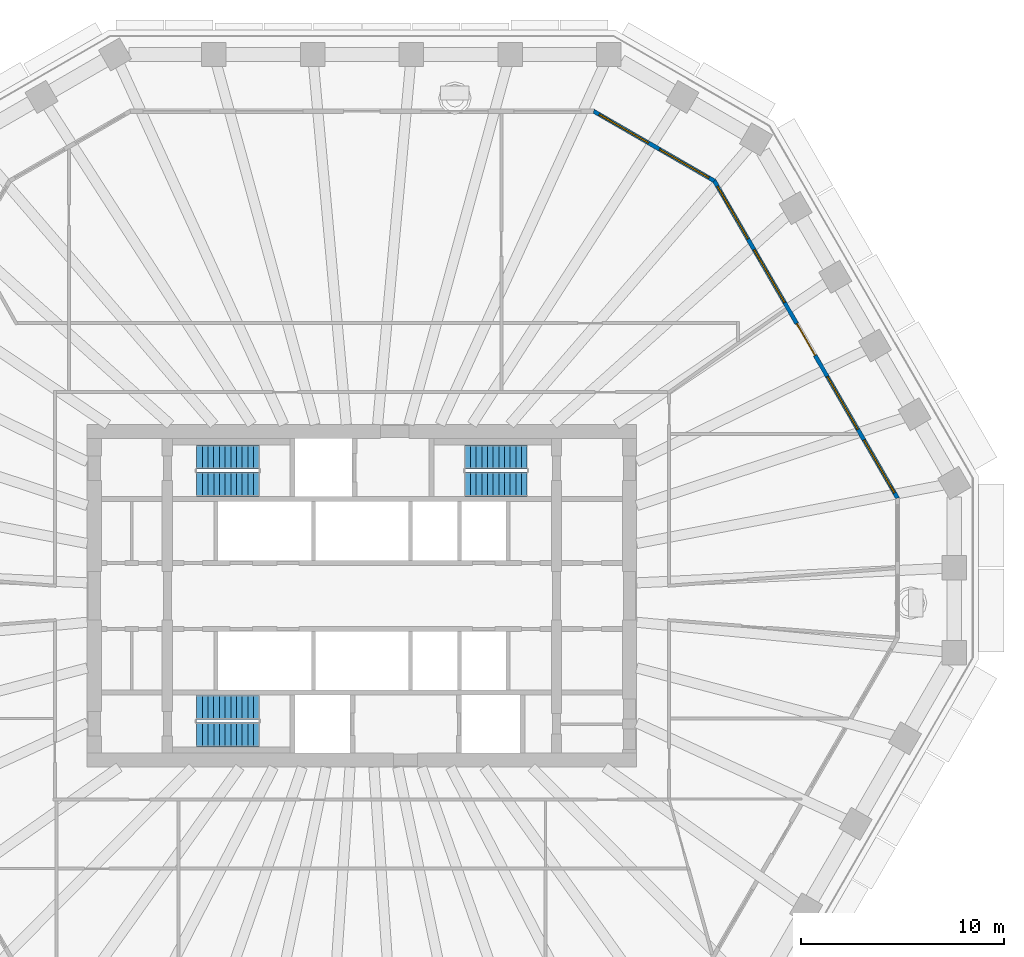
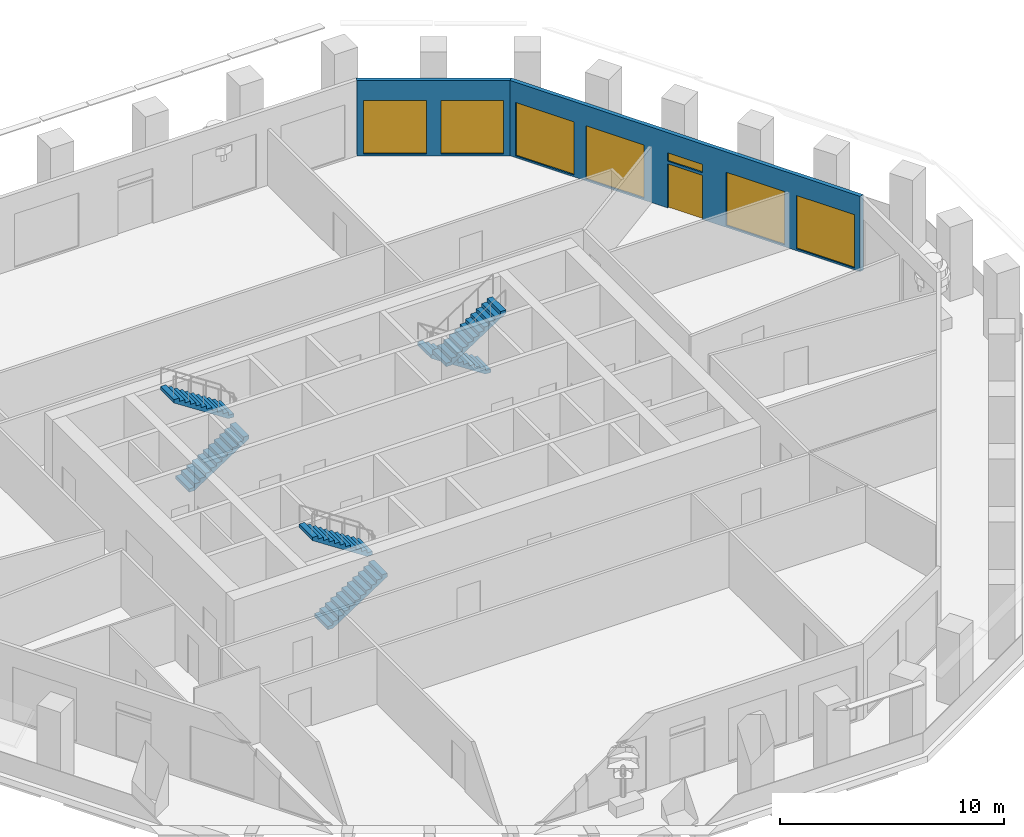
# One storey, part 8 of 12: 7 windows, 6 stair flights, 2 walls, 1 door, 8 openings, 3 elements without a shape of their own.
"""IFC4 building model written with IfcOpenShell, lengths in metres."""

from ifc_helpers import new_model, si_unit, direction, frame, frame_2d, origin, place, context, subcontext, project, spatial, polyline, rectangle, outline, extrude, material, layer, layer_set, type_object, element, fill, aggregate, save


model = new_model("IFC4")

# Units and contexts
model_context = context("Model", 3, precision=1e-05, world=origin(), true_north=direction((0.0, 1.0)))
body_context = subcontext(model_context, "Body", "Model", "MODEL_VIEW")
ifc_project = project(units=[si_unit("LENGTHUNIT", "METRE"), si_unit("AREAUNIT", "SQUARE_METRE"), si_unit("VOLUMEUNIT", "CUBIC_METRE"), si_unit("PLANEANGLEUNIT", "RADIAN"), si_unit("MASSUNIT", "GRAM", prefix="KILO")], contexts=[model_context])

# Site, building, storey
site_placement = place(None, origin())
site = spatial("IfcSite", under=ifc_project, at=site_placement, CompositionType="ELEMENT")
building_placement = place(site_placement, origin())
building = spatial("IfcBuilding", under=site, at=building_placement, Name="Frailejon Research Tower", CompositionType="ELEMENT")
storey_placement = place(building_placement, frame((0.0, 0.0, 193.60009765625)))
storey = spatial("IfcBuildingStorey", under=building, at=storey_placement, Name="L42", CompositionType="ELEMENT", Elevation=193.60009765625)

# Wall, openings, door, windows
ifc_material_1 = material(Name="Concrete C40/50 precast window wall panel", Category="concrete")
ifc_layer_1 = layer(ifc_material_1, 0.199951171875)
ifc_layer_set_1 = layer_set([ifc_layer_1], Name="Window wall 200")
wall_type = type_object("IfcWallType", Name="Window wall 200", PredefinedType="SOLIDWALL", material=ifc_layer_set_1)
wall_1_placement = place(storey_placement, frame((26.4111328125, 4.820068359375, 0.0), z_axis=(0.0, 0.0, 1.0), x_axis=(-0.500000137386, 0.866025324465, 0.0)))
wall_1 = element("IfcWall", 1, at=wall_1_placement, inside=storey, type_object=wall_type, Name="Exterior wall L42", PredefinedType="SOLIDWALL", context=body_context, shape_type="SweptSolid", body=[
    extrude(outline(polyline([(-0.02685546875, -0.10009765625), (0.9794921875, -0.10009765625), (1.986083984375, -0.10009765625), (2.992431640625, -0.10009765625), (3.9990234375, -0.10009765625), (5.00537109375, -0.10009765625), (6.011962890625, -0.10009765625), (7.018310546875, -0.10009765625), (8.02490234375, -0.10009765625), (9.03125, -0.10009765625), (10.03759765625, -0.10009765625), (11.044189453125, -0.10009765625), (12.050537109375, -0.10009765625), (13.05712890625, -0.10009765625), (14.0634765625, -0.10009765625), (15.070068359375, -0.10009765625), (16.076416015625, -0.10009765625), (17.0830078125, -0.10009765625), (18.08935546875, -0.10009765625), (18.03564453125, 0.10009765625), (17.03515625, 0.10009765625), (16.03466796875, 0.10009765625), (15.0341796875, 0.10009765625), (14.03369140625, 0.10009765625), (13.033203125, 0.10009765625), (12.03271484375, 0.10009765625), (11.0322265625, 0.10009765625), (10.03173828125, 0.10009765625), (9.03125, 0.10009765625), (8.03076171875, 0.10009765625), (7.0302734375, 0.10009765625), (6.02978515625, 0.10009765625), (5.029296875, 0.10009765625), (4.02880859375, 0.10009765625), (3.0283203125, 0.10009765625), (2.02783203125, 0.10009765625), (1.02734375, 0.10009765625), (0.02685546875, 0.10009765625), (-0.02685546875, -0.10009765625)])), origin(), (0.0, 0.0, 1.0), 4.099853515625),
])
opening_1_placement = place(wall_1_placement, frame((0.306396484375, 0.0, 0.10009765625)))
opening_1 = element("IfcOpeningElement", 2, at=opening_1_placement, cuts=wall_1, Name="Opening W4", PredefinedType="OPENING", context=body_context, shape_type="SweptSolid", body=[
    extrude(rectangle(XDim=3.0, YDim=2.89990234375, at=frame_2d((1.5, 1.449951171875))), frame((0.0, 0.10986328125, 0.0), z_axis=(0.0, -1.0, 0.0), x_axis=(1.0, 0.0, 0.0)), (0.0, 0.0, 1.0), 0.219970703125),
])
opening_2_placement = place(wall_1_placement, frame((3.918701171875, 0.0, 0.10009765625)))
opening_2 = element("IfcOpeningElement", 3, at=opening_2_placement, cuts=wall_1, Name="Opening W4", PredefinedType="OPENING", context=body_context, shape_type="SweptSolid", body=[
    extrude(rectangle(XDim=3.0, YDim=2.89990234375, at=frame_2d((1.5, 1.449951171875))), frame((0.0, 0.10986328125, 0.0), z_axis=(0.0, -1.0, 0.0), x_axis=(1.0, 0.0, 0.0)), (0.0, 0.0, 1.0), 0.219970703125),
])
opening_3_placement = place(wall_1_placement, frame((8.13134765625, 0.0, 0.0)))
opening_3 = element("IfcOpeningElement", 4, at=opening_3_placement, cuts=wall_1, Name="Opening LG42-1", PredefinedType="OPENING", context=body_context, shape_type="SweptSolid", body=[
    extrude(rectangle(XDim=1.800048828125, YDim=2.39990234375, at=frame_2d((0.89990234375, 1.199951171875))), frame((0.0, 0.10986328125, 0.0), z_axis=(0.0, -1.0, 0.0), x_axis=(1.0, 0.0, 0.0)), (0.0, 0.0, 1.0), 0.219970703125),
])
opening_4_placement = place(wall_1_placement, frame((8.13134765625, 0.0, 2.550048828125)))
opening_4 = element("IfcOpeningElement", 5, at=opening_4_placement, cuts=wall_1, Name="Opening W1", PredefinedType="OPENING", context=body_context, shape_type="SweptSolid", body=[
    extrude(rectangle(XDim=1.800048828125, YDim=0.449951171875, at=frame_2d((0.89990234375, 0.22509765625))), frame((0.0, 0.10986328125, 0.0), z_axis=(0.0, -1.0, 0.0), x_axis=(1.0, 0.0, 0.0)), (0.0, 0.0, 1.0), 0.219970703125),
])
opening_5_placement = place(wall_1_placement, frame((11.143798828125, 0.0, 0.10009765625)))
opening_5 = element("IfcOpeningElement", 6, at=opening_5_placement, cuts=wall_1, Name="Opening W4", PredefinedType="OPENING", context=body_context, shape_type="SweptSolid", body=[
    extrude(rectangle(XDim=3.0, YDim=2.89990234375, at=frame_2d((1.5, 1.449951171875))), frame((0.0, 0.10986328125, 0.0), z_axis=(0.0, -1.0, 0.0), x_axis=(1.0, 0.0, 0.0)), (0.0, 0.0, 1.0), 0.219970703125),
])
opening_6_placement = place(wall_1_placement, frame((14.75634765625, 0.0, 0.10009765625)))
opening_6 = element("IfcOpeningElement", 7, at=opening_6_placement, cuts=wall_1, Name="Opening W4", PredefinedType="OPENING", context=body_context, shape_type="SweptSolid", body=[
    extrude(rectangle(XDim=3.0, YDim=2.89990234375, at=frame_2d((1.5, 1.449951171875))), frame((0.0, 0.10986328125, 0.0), z_axis=(0.0, -1.0, 0.0), x_axis=(1.0, 0.0, 0.0)), (0.0, 0.0, 1.0), 0.219970703125),
])
ifc_material_2 = material(Name="Aluminium framed glazed door leaf", Category="aluminium")
door_type = type_object("IfcDoorType", Name="Loggia door 1800x2400", OperationType="DOUBLE_DOOR_SINGLE_SWING", PredefinedType="DOOR", material=ifc_material_2)
door_placement = place(opening_3_placement, origin())
door = element("IfcDoor", 8, at=door_placement, inside=storey, type_object=door_type, Name="Door LG42-1", OperationType="DOUBLE_DOOR_SINGLE_SWING", OverallHeight=2.39990234375, OverallWidth=1.800048828125, PredefinedType="DOOR", context=body_context, shape_type="SweptSolid", body=[
    extrude(rectangle(XDim=1.800048828125, YDim=2.39990234375, at=frame_2d((0.89990234375, 1.199951171875))), frame((0.0, 0.02490234375, 0.0), z_axis=(0.0, -1.0, 0.0), x_axis=(1.0, 0.0, 0.0)), (0.0, 0.0, 1.0), 0.050048828125),
])
fill(opening_3, door)
ifc_material_3 = material(Name="Aluminium framed double glazing", Category="aluminium")
window_type_1 = type_object("IfcWindowType", Name="Window 1800x450", PartitioningType="SINGLE_PANEL", PredefinedType="WINDOW", material=ifc_material_3)
window_1_placement = place(opening_4_placement, origin())
window_1 = element("IfcWindow", 9, at=window_1_placement, inside=storey, type_object=window_type_1, Name="Window L42", OverallHeight=0.449951171875, OverallWidth=1.800048828125, PartitioningType="SINGLE_PANEL", PredefinedType="WINDOW", context=body_context, shape_type="SweptSolid", body=[
    extrude(rectangle(XDim=1.800048828125, YDim=0.449951171875, at=frame_2d((0.89990234375, 0.22509765625))), frame((0.0, 0.030029296875, 0.0), z_axis=(0.0, -1.0, 0.0), x_axis=(1.0, 0.0, 0.0)), (0.0, 0.0, 1.0), 0.06005859375),
])
fill(opening_4, window_1)
ifc_material_4 = material(Name="Aluminium framed double glazing", Category="aluminium")
window_type_2 = type_object("IfcWindowType", Name="Window 3000x2900", PartitioningType="SINGLE_PANEL", PredefinedType="WINDOW", material=ifc_material_4)
window_2_placement = place(opening_1_placement, origin())
window_2 = element("IfcWindow", 10, at=window_2_placement, inside=storey, type_object=window_type_2, Name="Window L42", OverallHeight=2.89990234375, OverallWidth=3.0, PartitioningType="SINGLE_PANEL", PredefinedType="WINDOW", context=body_context, shape_type="SweptSolid", body=[
    extrude(rectangle(XDim=3.0, YDim=2.89990234375, at=frame_2d((1.5, 1.449951171875))), frame((0.0, 0.030029296875, 0.0), z_axis=(0.0, -1.0, 0.0), x_axis=(1.0, 0.0, 0.0)), (0.0, 0.0, 1.0), 0.06005859375),
])
fill(opening_1, window_2)
window_3_placement = place(opening_2_placement, origin())
window_3 = element("IfcWindow", 11, at=window_3_placement, inside=storey, type_object=window_type_2, Name="Window L42", OverallHeight=2.89990234375, OverallWidth=3.0, PartitioningType="SINGLE_PANEL", PredefinedType="WINDOW", context=body_context, shape_type="SweptSolid", body=[
    extrude(rectangle(XDim=3.0, YDim=2.89990234375, at=frame_2d((1.5, 1.449951171875))), frame((0.0, 0.030029296875, 0.0), z_axis=(0.0, -1.0, 0.0), x_axis=(1.0, 0.0, 0.0)), (0.0, 0.0, 1.0), 0.06005859375),
])
fill(opening_2, window_3)
window_4_placement = place(opening_5_placement, origin())
window_4 = element("IfcWindow", 12, at=window_4_placement, inside=storey, type_object=window_type_2, Name="Window L42", OverallHeight=2.89990234375, OverallWidth=3.0, PartitioningType="SINGLE_PANEL", PredefinedType="WINDOW", context=body_context, shape_type="SweptSolid", body=[
    extrude(rectangle(XDim=3.0, YDim=2.89990234375, at=frame_2d((1.5, 1.449951171875))), frame((0.0, 0.030029296875, 0.0), z_axis=(0.0, -1.0, 0.0), x_axis=(1.0, 0.0, 0.0)), (0.0, 0.0, 1.0), 0.06005859375),
])
fill(opening_5, window_4)
window_5_placement = place(opening_6_placement, origin())
window_5 = element("IfcWindow", 13, at=window_5_placement, inside=storey, type_object=window_type_2, Name="Window L42", OverallHeight=2.89990234375, OverallWidth=3.0, PartitioningType="SINGLE_PANEL", PredefinedType="WINDOW", context=body_context, shape_type="SweptSolid", body=[
    extrude(rectangle(XDim=3.0, YDim=2.89990234375, at=frame_2d((1.5, 1.449951171875))), frame((0.0, 0.030029296875, 0.0), z_axis=(0.0, -1.0, 0.0), x_axis=(1.0, 0.0, 0.0)), (0.0, 0.0, 1.0), 0.06005859375),
])
fill(opening_6, window_5)

# Wall, openings, windows
wall_2_placement = place(storey_placement, frame((17.3798828125, 20.462646484375, 0.0), z_axis=(0.0, 0.0, 1.0), x_axis=(-0.866029458321, 0.49999297727, 0.0)))
wall_2 = element("IfcWall", 14, at=wall_2_placement, inside=storey, type_object=wall_type, Name="Exterior wall L42", PredefinedType="SOLIDWALL", context=body_context, shape_type="SweptSolid", body=[
    extrude(outline(polyline([(-0.02685546875, -0.10009765625), (1.1279296875, -0.10009765625), (2.282470703125, -0.10009765625), (3.437255859375, -0.10009765625), (4.592041015625, -0.10009765625), (5.74658203125, -0.10009765625), (6.9013671875, -0.10009765625), (6.84765625, 0.10009765625), (5.7109375, 0.10009765625), (4.573974609375, 0.10009765625), (3.437255859375, 0.10009765625), (2.300537109375, 0.10009765625), (1.16357421875, 0.10009765625), (0.02685546875, 0.10009765625), (-0.02685546875, -0.10009765625)])), origin(), (0.0, 0.0, 1.0), 4.099853515625),
])
opening_7_placement = place(wall_2_placement, frame((0.318603515625, 0.0, 0.10009765625)))
opening_7 = element("IfcOpeningElement", 15, at=opening_7_placement, cuts=wall_2, Name="Opening W3", PredefinedType="OPENING", context=body_context, shape_type="SweptSolid", body=[
    extrude(rectangle(XDim=2.800048828125, YDim=2.89990234375, at=frame_2d((1.39990234375, 1.449951171875))), frame((0.0, 0.10986328125, 0.0), z_axis=(0.0, -1.0, 0.0), x_axis=(1.0, 0.0, 0.0)), (0.0, 0.0, 1.0), 0.219970703125),
])
opening_8_placement = place(wall_2_placement, frame((3.756103515625, 0.0, 0.10009765625)))
opening_8 = element("IfcOpeningElement", 16, at=opening_8_placement, cuts=wall_2, Name="Opening W3", PredefinedType="OPENING", context=body_context, shape_type="SweptSolid", body=[
    extrude(rectangle(XDim=2.800048828125, YDim=2.89990234375, at=frame_2d((1.39990234375, 1.449951171875))), frame((0.0, 0.10986328125, 0.0), z_axis=(0.0, -1.0, 0.0), x_axis=(1.0, 0.0, 0.0)), (0.0, 0.0, 1.0), 0.219970703125),
])
ifc_material_5 = material(Name="Aluminium framed double glazing", Category="aluminium")
window_type_3 = type_object("IfcWindowType", Name="Window 2800x2900", PartitioningType="SINGLE_PANEL", PredefinedType="WINDOW", material=ifc_material_5)
window_6_placement = place(opening_7_placement, origin())
window_6 = element("IfcWindow", 17, at=window_6_placement, inside=storey, type_object=window_type_3, Name="Window L42", OverallHeight=2.89990234375, OverallWidth=2.800048828125, PartitioningType="SINGLE_PANEL", PredefinedType="WINDOW", context=body_context, shape_type="SweptSolid", body=[
    extrude(rectangle(XDim=2.800048828125, YDim=2.89990234375, at=frame_2d((1.39990234375, 1.449951171875))), frame((0.0, 0.030029296875, 0.0), z_axis=(0.0, -1.0, 0.0), x_axis=(1.0, 0.0, 0.0)), (0.0, 0.0, 1.0), 0.06005859375),
])
fill(opening_7, window_6)
window_7_placement = place(opening_8_placement, origin())
window_7 = element("IfcWindow", 18, at=window_7_placement, inside=storey, type_object=window_type_3, Name="Window L42", OverallHeight=2.89990234375, OverallWidth=2.800048828125, PartitioningType="SINGLE_PANEL", PredefinedType="WINDOW", context=body_context, shape_type="SweptSolid", body=[
    extrude(rectangle(XDim=2.800048828125, YDim=2.89990234375, at=frame_2d((1.39990234375, 1.449951171875))), frame((0.0, 0.030029296875, 0.0), z_axis=(0.0, -1.0, 0.0), x_axis=(1.0, 0.0, 0.0)), (0.0, 0.0, 1.0), 0.06005859375),
])
fill(opening_8, window_7)

# Stair, stair flights
ifc_material_6 = material(Name="Concrete C50/60", Category="concrete")
stair_type = type_object("IfcStairType", Name="Exit stair 24 risers", PredefinedType="HALF_TURN_STAIR", material=ifc_material_6)
stair_1_placement = place(storey_placement, origin())
stair_1 = element("IfcStair", 19, at=stair_1_placement, inside=storey, type_object=stair_type, Name="L42 Exit stair ST1", PredefinedType="HALF_TURN_STAIR")
ifc_material_7 = material(Name="Concrete C50/60", Category="concrete")
ifc_layer_2 = layer(ifc_material_7, 0.14990234375)
ifc_layer_set_2 = layer_set([ifc_layer_2], Name="Stair flight 12 risers")
stair_flight_type = type_object("IfcStairFlightType", Name="Stair flight 12 risers", PredefinedType="STRAIGHT", material=ifc_layer_set_2)
stair_flight_1_placement = place(storey_placement, frame((-8.14990234375, 5.5, 0.0), z_axis=(0.0, 0.0, 1.0), x_axis=(1.0, 0.0, 0.0)))
stair_flight_1 = element("IfcStairFlight", 20, at=stair_flight_1_placement, type_object=stair_flight_type, Name="ST1 flight 1", NumberOfRisers=12, NumberOfTreads=11, PredefinedType="STRAIGHT", RiserHeight=0.183333333, TreadLength=0.28, context=body_context, shape_type="SweptSolid", body=[
    extrude(outline(polyline([(0.0, 0.0), (0.0, 0.183349609375), (0.280029296875, 0.183349609375), (0.280029296875, 0.36669921875), (0.56005859375, 0.36669921875), (0.56005859375, 0.550048828125), (0.840087890625, 0.550048828125), (0.840087890625, 0.7333984375), (1.1201171875, 0.7333984375), (1.1201171875, 0.916748046875), (1.39990234375, 0.916748046875), (1.39990234375, 1.10009765625), (1.679931640625, 1.10009765625), (1.679931640625, 1.283447265625), (1.9599609375, 1.283447265625), (1.9599609375, 1.466552734375), (2.239990234375, 1.466552734375), (2.239990234375, 1.64990234375), (2.52001953125, 1.64990234375), (2.52001953125, 1.833251953125), (2.800048828125, 1.833251953125), (2.800048828125, 2.0166015625), (3.080078125, 2.0166015625), (3.080078125, 2.199951171875), (3.080078125, 1.83740234375), (0.273681640625, 0.0), (0.0, 0.0)])), frame((0.0, 0.60009765625, 0.0), z_axis=(0.0, -1.0, 0.0), x_axis=(1.0, 0.0, 0.0)), (0.0, 0.0, 1.0), 1.199951171875),
])
stair_flight_2_placement = place(storey_placement, frame((-5.070068359375, 6.85009765625, 2.199951171875), z_axis=(0.0, 0.0, 1.0), x_axis=(-1.0, 0.0, 0.0)))
stair_flight_2 = element("IfcStairFlight", 21, at=stair_flight_2_placement, type_object=stair_flight_type, Name="ST1 flight 2", NumberOfRisers=12, NumberOfTreads=11, PredefinedType="STRAIGHT", RiserHeight=0.183333333, TreadLength=0.28, context=body_context, shape_type="SweptSolid", body=[
    extrude(outline(polyline([(0.0, 0.0), (0.0, 0.183349609375), (0.280029296875, 0.183349609375), (0.280029296875, 0.36669921875), (0.56005859375, 0.36669921875), (0.56005859375, 0.550048828125), (0.840087890625, 0.550048828125), (0.840087890625, 0.7333984375), (1.1201171875, 0.7333984375), (1.1201171875, 0.916748046875), (1.39990234375, 0.916748046875), (1.39990234375, 1.10009765625), (1.679931640625, 1.10009765625), (1.679931640625, 1.283447265625), (1.9599609375, 1.283447265625), (1.9599609375, 1.466552734375), (2.239990234375, 1.466552734375), (2.239990234375, 1.64990234375), (2.52001953125, 1.64990234375), (2.52001953125, 1.833251953125), (2.800048828125, 1.833251953125), (2.800048828125, 2.0166015625), (3.080078125, 2.0166015625), (3.080078125, 2.199951171875), (3.080078125, 1.83740234375), (0.273681640625, 0.0), (0.0, 0.0)])), frame((0.0, 0.60009765625, 0.0), z_axis=(0.0, -1.0, 0.0), x_axis=(1.0, 0.0, 0.0)), (0.0, 0.0, 1.0), 1.199951171875),
])
aggregate(stair_1, [stair_flight_1, stair_flight_2])

stair_2_placement = place(storey_placement, origin())
stair_2 = element("IfcStair", 22, at=stair_2_placement, inside=storey, type_object=stair_type, Name="L42 Exit stair ST2", PredefinedType="HALF_TURN_STAIR")
stair_flight_3_placement = place(storey_placement, frame((-8.14990234375, -6.85009765625, 0.0), z_axis=(0.0, 0.0, 1.0), x_axis=(1.0, 0.0, 0.0)))
stair_flight_3 = element("IfcStairFlight", 23, at=stair_flight_3_placement, type_object=stair_flight_type, Name="ST2 flight 1", NumberOfRisers=12, NumberOfTreads=11, PredefinedType="STRAIGHT", RiserHeight=0.183333333, TreadLength=0.28, context=body_context, shape_type="SweptSolid", body=[
    extrude(outline(polyline([(0.0, 0.0), (0.0, 0.183349609375), (0.280029296875, 0.183349609375), (0.280029296875, 0.36669921875), (0.56005859375, 0.36669921875), (0.56005859375, 0.550048828125), (0.840087890625, 0.550048828125), (0.840087890625, 0.7333984375), (1.1201171875, 0.7333984375), (1.1201171875, 0.916748046875), (1.39990234375, 0.916748046875), (1.39990234375, 1.10009765625), (1.679931640625, 1.10009765625), (1.679931640625, 1.283447265625), (1.9599609375, 1.283447265625), (1.9599609375, 1.466552734375), (2.239990234375, 1.466552734375), (2.239990234375, 1.64990234375), (2.52001953125, 1.64990234375), (2.52001953125, 1.833251953125), (2.800048828125, 1.833251953125), (2.800048828125, 2.0166015625), (3.080078125, 2.0166015625), (3.080078125, 2.199951171875), (3.080078125, 1.83740234375), (0.273681640625, 0.0), (0.0, 0.0)])), frame((0.0, 0.60009765625, 0.0), z_axis=(0.0, -1.0, 0.0), x_axis=(1.0, 0.0, 0.0)), (0.0, 0.0, 1.0), 1.199951171875),
])
stair_flight_4_placement = place(storey_placement, frame((-5.070068359375, -5.5, 2.199951171875), z_axis=(0.0, 0.0, 1.0), x_axis=(-1.0, 0.0, 0.0)))
stair_flight_4 = element("IfcStairFlight", 24, at=stair_flight_4_placement, type_object=stair_flight_type, Name="ST2 flight 2", NumberOfRisers=12, NumberOfTreads=11, PredefinedType="STRAIGHT", RiserHeight=0.183333333, TreadLength=0.28, context=body_context, shape_type="SweptSolid", body=[
    extrude(outline(polyline([(0.0, 0.0), (0.0, 0.183349609375), (0.280029296875, 0.183349609375), (0.280029296875, 0.36669921875), (0.56005859375, 0.36669921875), (0.56005859375, 0.550048828125), (0.840087890625, 0.550048828125), (0.840087890625, 0.7333984375), (1.1201171875, 0.7333984375), (1.1201171875, 0.916748046875), (1.39990234375, 0.916748046875), (1.39990234375, 1.10009765625), (1.679931640625, 1.10009765625), (1.679931640625, 1.283447265625), (1.9599609375, 1.283447265625), (1.9599609375, 1.466552734375), (2.239990234375, 1.466552734375), (2.239990234375, 1.64990234375), (2.52001953125, 1.64990234375), (2.52001953125, 1.833251953125), (2.800048828125, 1.833251953125), (2.800048828125, 2.0166015625), (3.080078125, 2.0166015625), (3.080078125, 2.199951171875), (3.080078125, 1.83740234375), (0.273681640625, 0.0), (0.0, 0.0)])), frame((0.0, 0.60009765625, 0.0), z_axis=(0.0, -1.0, 0.0), x_axis=(1.0, 0.0, 0.0)), (0.0, 0.0, 1.0), 1.199951171875),
])
aggregate(stair_2, [stair_flight_3, stair_flight_4])

stair_3_placement = place(storey_placement, origin())
stair_3 = element("IfcStair", 25, at=stair_3_placement, inside=storey, type_object=stair_type, Name="L42 Exit stair ST3", PredefinedType="HALF_TURN_STAIR")
stair_flight_5_placement = place(storey_placement, frame((8.14990234375, 6.85009765625, 0.0), z_axis=(0.0, 0.0, 1.0), x_axis=(-1.0, 0.0, 0.0)))
stair_flight_5 = element("IfcStairFlight", 26, at=stair_flight_5_placement, type_object=stair_flight_type, Name="ST3 flight 1", NumberOfRisers=12, NumberOfTreads=11, PredefinedType="STRAIGHT", RiserHeight=0.183333333, TreadLength=0.28, context=body_context, shape_type="SweptSolid", body=[
    extrude(outline(polyline([(0.0, 0.0), (0.0, 0.183349609375), (0.280029296875, 0.183349609375), (0.280029296875, 0.36669921875), (0.56005859375, 0.36669921875), (0.56005859375, 0.550048828125), (0.840087890625, 0.550048828125), (0.840087890625, 0.7333984375), (1.1201171875, 0.7333984375), (1.1201171875, 0.916748046875), (1.39990234375, 0.916748046875), (1.39990234375, 1.10009765625), (1.679931640625, 1.10009765625), (1.679931640625, 1.283447265625), (1.9599609375, 1.283447265625), (1.9599609375, 1.466552734375), (2.239990234375, 1.466552734375), (2.239990234375, 1.64990234375), (2.52001953125, 1.64990234375), (2.52001953125, 1.833251953125), (2.800048828125, 1.833251953125), (2.800048828125, 2.0166015625), (3.080078125, 2.0166015625), (3.080078125, 2.199951171875), (3.080078125, 1.83740234375), (0.273681640625, 0.0), (0.0, 0.0)])), frame((0.0, 0.60009765625, 0.0), z_axis=(0.0, -1.0, 0.0), x_axis=(1.0, 0.0, 0.0)), (0.0, 0.0, 1.0), 1.199951171875),
])
stair_flight_6_placement = place(storey_placement, frame((5.070068359375, 5.5, 2.199951171875), z_axis=(0.0, 0.0, 1.0), x_axis=(1.0, 0.0, 0.0)))
stair_flight_6 = element("IfcStairFlight", 27, at=stair_flight_6_placement, type_object=stair_flight_type, Name="ST3 flight 2", NumberOfRisers=12, NumberOfTreads=11, PredefinedType="STRAIGHT", RiserHeight=0.183333333, TreadLength=0.28, context=body_context, shape_type="SweptSolid", body=[
    extrude(outline(polyline([(0.0, 0.0), (0.0, 0.183349609375), (0.280029296875, 0.183349609375), (0.280029296875, 0.36669921875), (0.56005859375, 0.36669921875), (0.56005859375, 0.550048828125), (0.840087890625, 0.550048828125), (0.840087890625, 0.7333984375), (1.1201171875, 0.7333984375), (1.1201171875, 0.916748046875), (1.39990234375, 0.916748046875), (1.39990234375, 1.10009765625), (1.679931640625, 1.10009765625), (1.679931640625, 1.283447265625), (1.9599609375, 1.283447265625), (1.9599609375, 1.466552734375), (2.239990234375, 1.466552734375), (2.239990234375, 1.64990234375), (2.52001953125, 1.64990234375), (2.52001953125, 1.833251953125), (2.800048828125, 1.833251953125), (2.800048828125, 2.0166015625), (3.080078125, 2.0166015625), (3.080078125, 2.199951171875), (3.080078125, 1.83740234375), (0.273681640625, 0.0), (0.0, 0.0)])), frame((0.0, 0.60009765625, 0.0), z_axis=(0.0, -1.0, 0.0), x_axis=(1.0, 0.0, 0.0)), (0.0, 0.0, 1.0), 1.199951171875),
])
aggregate(stair_3, [stair_flight_5, stair_flight_6])

save(model, "model.ifc")
